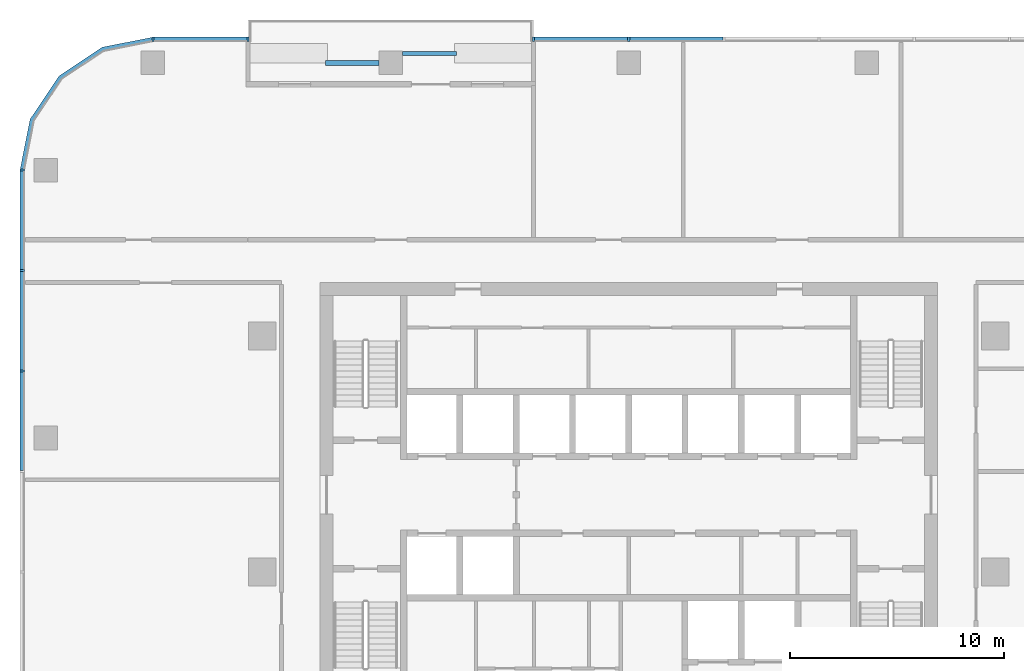
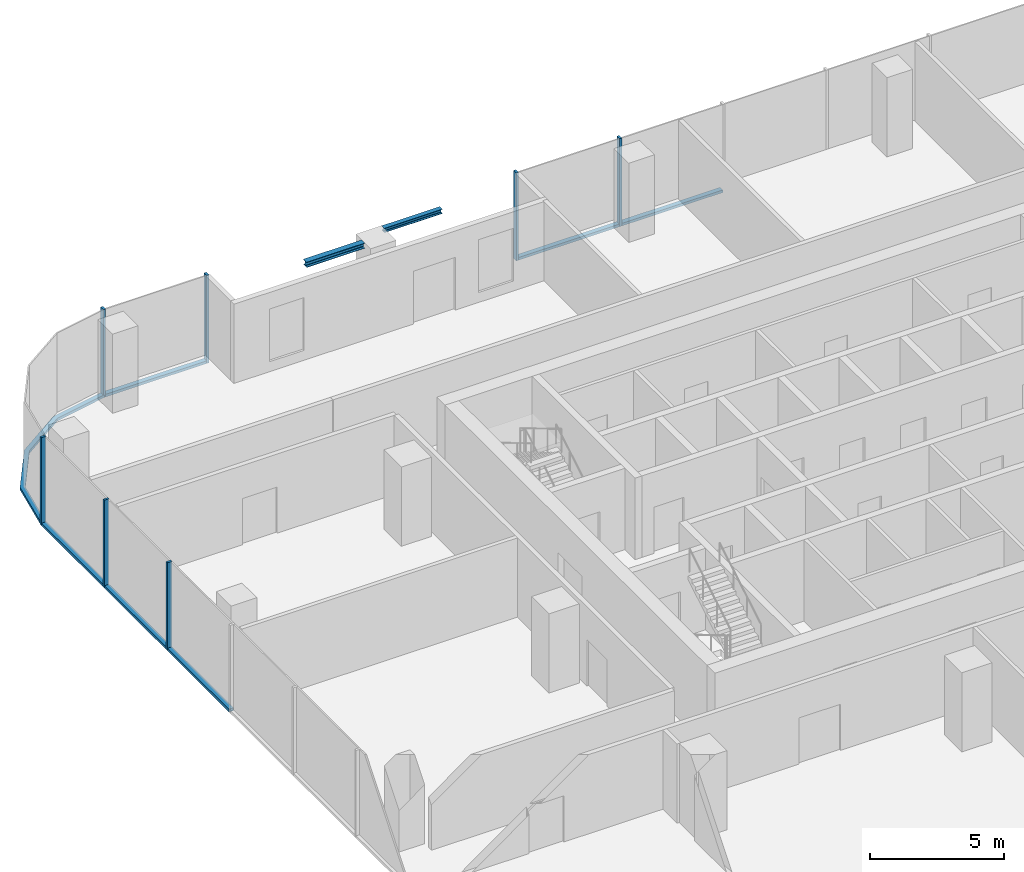
# One storey, part 4 of 14: 14 members, 2 beams, 4 elements without a shape of their own.
"""IFC4 building model written with IfcOpenShell, lengths in metres."""

from ifc_helpers import new_model, si_unit, direction, frame, origin, origin_2d, place, context, subcontext, project, spatial, polyline, rectangle, i_section, outline, extrude, material, material_profile, profile_set, type_object, element, aggregate, save


model = new_model("IFC4")

# Units and contexts
model_context = context("Model", 3, precision=1e-05, world=origin(), true_north=direction((0.0, 1.0)))
body_context = subcontext(model_context, "Body", "Model", "MODEL_VIEW")
ifc_project = project(units=[si_unit("LENGTHUNIT", "METRE"), si_unit("AREAUNIT", "SQUARE_METRE"), si_unit("VOLUMEUNIT", "CUBIC_METRE"), si_unit("PLANEANGLEUNIT", "RADIAN"), si_unit("MASSUNIT", "GRAM", prefix="KILO")], contexts=[model_context])

# Site, building, storey
site_placement = place(None, origin())
site = spatial("IfcSite", under=ifc_project, at=site_placement, CompositionType="ELEMENT")
building_placement = place(site_placement, origin())
building = spatial("IfcBuilding", under=site, at=building_placement, Name="Mopane Tessera Tower", CompositionType="ELEMENT")
storey_placement = place(building_placement, frame((0.0, 0.0, 219.0)))
storey = spatial("IfcBuildingStorey", under=building, at=storey_placement, Name="L46", CompositionType="ELEMENT", Elevation=219.0)

# Curtain wall, members
ifc_material_1 = material(Name="Aluminium frame", Category="aluminium")
curtain_wall_type = type_object("IfcCurtainWallType", Name="Unitised curtain wall", PredefinedType="NOTDEFINED", material=ifc_material_1)
curtain_wall_1_placement = place(storey_placement, origin())
curtain_wall_1 = element("IfcCurtainWall", 1, at=curtain_wall_1_placement, inside=storey, type_object=curtain_wall_type, Name="e:cw:L46:N:0", PredefinedType="NOTDEFINED")
ifc_material_2 = material(Name="Aluminium frame", Category="aluminium")
ifc_material_profile_1 = material_profile(ifc_material_2, rectangle(XDim=0.10009765625, YDim=0.199951171875, at=origin_2d()))
ifc_profile_set_1 = profile_set([ifc_material_profile_1], Name="Aluminium frame")
member_type_1 = type_object("IfcMemberType", Name="Aluminium mullion 100 x 200", PredefinedType="MULLION", material=ifc_profile_set_1)
member_1_placement = place(storey_placement, frame((0.0, 24.85009765625, -0.39990234375), z_axis=(0.0, 0.0, 1.0), x_axis=(-1.0, 0.0, 0.0)))
member_1 = element("IfcMember", 2, at=member_1_placement, type_object=member_type_1, Name="e:cw:L46:N:0:mu5", PredefinedType="MULLION", context=body_context, shape_type="SweptSolid", body=[
    extrude(rectangle(XDim=0.10009765625, YDim=0.199951171875, at=origin_2d()), origin(), (0.0, 0.0, 1.0), 4.0),
])
member_2_placement = place(storey_placement, frame((-4.43994140625, 24.85009765625, -0.39990234375), z_axis=(0.0, 0.0, 1.0), x_axis=(-1.0, 0.0, 0.0)))
member_2 = element("IfcMember", 3, at=member_2_placement, type_object=member_type_1, Name="e:cw:L46:N:0:mu6", PredefinedType="MULLION", context=body_context, shape_type="SweptSolid", body=[
    extrude(rectangle(XDim=0.10009765625, YDim=0.199951171875, at=origin_2d()), origin(), (0.0, 0.0, 1.0), 4.0),
])

curtain_wall_2_placement = place(storey_placement, origin())
curtain_wall_2 = element("IfcCurtainWall", 4, at=curtain_wall_2_placement, inside=storey, type_object=curtain_wall_type, Name="e:cw:L46:N:9", PredefinedType="NOTDEFINED")
member_3_placement = place(storey_placement, frame((-17.760009765625, 24.85009765625, -0.39990234375), z_axis=(0.0, 0.0, 1.0), x_axis=(-1.0, 0.0, 0.0)))
member_3 = element("IfcMember", 5, at=member_3_placement, type_object=member_type_1, Name="e:cw:L46:N:9:mu9", PredefinedType="MULLION", context=body_context, shape_type="SweptSolid", body=[
    extrude(rectangle(XDim=0.10009765625, YDim=0.199951171875, at=origin_2d()), origin(), (0.0, 0.0, 1.0), 4.0),
])
member_4_placement = place(storey_placement, frame((-22.199951171875, 24.85009765625, -0.39990234375), z_axis=(0.0, 0.0, 1.0), x_axis=(-1.0, 0.0, 0.0)))
member_4 = element("IfcMember", 6, at=member_4_placement, type_object=member_type_1, Name="e:cw:L46:N:9:mu10", PredefinedType="MULLION", context=body_context, shape_type="SweptSolid", body=[
    extrude(rectangle(XDim=0.10009765625, YDim=0.199951171875, at=origin_2d()), origin(), (0.0, 0.0, 1.0), 4.0),
])

curtain_wall_3_placement = place(storey_placement, origin())
curtain_wall_3 = element("IfcCurtainWall", 7, at=curtain_wall_3_placement, inside=storey, type_object=curtain_wall_type, Name="e:cw:L46:W:0", PredefinedType="NOTDEFINED")
member_5_placement = place(storey_placement, frame((-28.300048828125, 18.75, -0.39990234375), z_axis=(0.0, 0.0, 1.0), x_axis=(0.0, -1.0, 0.0)))
member_5 = element("IfcMember", 8, at=member_5_placement, type_object=member_type_1, Name="e:cw:L46:W:0:mu0", PredefinedType="MULLION", context=body_context, shape_type="SweptSolid", body=[
    extrude(rectangle(XDim=0.10009765625, YDim=0.199951171875, at=origin_2d()), origin(), (0.0, 0.0, 1.0), 4.0),
])
member_6_placement = place(storey_placement, frame((-28.300048828125, 14.0625, -0.39990234375), z_axis=(0.0, 0.0, 1.0), x_axis=(0.0, -1.0, 0.0)))
member_6 = element("IfcMember", 9, at=member_6_placement, type_object=member_type_1, Name="e:cw:L46:W:0:mu1", PredefinedType="MULLION", context=body_context, shape_type="SweptSolid", body=[
    extrude(rectangle(XDim=0.10009765625, YDim=0.199951171875, at=origin_2d()), origin(), (0.0, 0.0, 1.0), 4.0),
])
member_7_placement = place(storey_placement, frame((-28.300048828125, 9.375, -0.39990234375), z_axis=(0.0, 0.0, 1.0), x_axis=(0.0, -1.0, 0.0)))
member_7 = element("IfcMember", 10, at=member_7_placement, type_object=member_type_1, Name="e:cw:L46:W:0:mu2", PredefinedType="MULLION", context=body_context, shape_type="SweptSolid", body=[
    extrude(rectangle(XDim=0.10009765625, YDim=0.199951171875, at=origin_2d()), origin(), (0.0, 0.0, 1.0), 4.0),
])

# Member
ifc_material_3 = material(Name="Aluminium frame", Category="aluminium")
ifc_material_profile_2 = material_profile(ifc_material_3, rectangle(XDim=0.199951171875, YDim=0.1201171875, at=origin_2d()))
ifc_profile_set_2 = profile_set([ifc_material_profile_2], Name="Aluminium frame")
member_type_2 = type_object("IfcMemberType", Name="Aluminium transom 200 x 120", PredefinedType="USERDEFINED", material=ifc_profile_set_2)
member_8_placement = place(storey_placement, frame((4.389892578125, 24.85009765625, -0.340087890625), z_axis=(-1.0, 0.0, 0.0), x_axis=(0.0, -1.0, 0.0)))
member_8 = element("IfcMember", 11, at=member_8_placement, type_object=member_type_2, Name="e:cw:L46:N:0:tr4", ObjectType="TRANSOM", PredefinedType="USERDEFINED", context=body_context, shape_type="SweptSolid", body=[
    extrude(rectangle(XDim=0.199951171875, YDim=0.1201171875, at=origin_2d()), origin(), (0.0, 0.0, 1.0), 4.33984375),
])

member_9_placement = place(storey_placement, frame((-0.050048828125, 24.85009765625, -0.340087890625), z_axis=(-1.0, 0.0, 0.0), x_axis=(0.0, -1.0, 0.0)))
member_9 = element("IfcMember", 12, at=member_9_placement, type_object=member_type_2, Name="e:cw:L46:N:0:tr5", ObjectType="TRANSOM", PredefinedType="USERDEFINED", context=body_context, shape_type="SweptSolid", body=[
    extrude(rectangle(XDim=0.199951171875, YDim=0.1201171875, at=origin_2d()), origin(), (0.0, 0.0, 1.0), 4.33984375),
])

aggregate(curtain_wall_1, [member_1, member_2, member_8, member_9])

member_10_placement = place(storey_placement, frame((-17.81005859375, 24.85009765625, -0.340087890625), z_axis=(-1.0, 0.0, 0.0), x_axis=(0.0, -1.0, 0.0)))
member_10 = element("IfcMember", 13, at=member_10_placement, type_object=member_type_2, Name="e:cw:L46:N:9:tr9", ObjectType="TRANSOM", PredefinedType="USERDEFINED", context=body_context, shape_type="SweptSolid", body=[
    extrude(rectangle(XDim=0.199951171875, YDim=0.1201171875, at=origin_2d()), origin(), (0.0, 0.0, 1.0), 4.33984375),
])

aggregate(curtain_wall_2, [member_3, member_4, member_10])

# Curtain wall, member
curtain_wall_4_placement = place(storey_placement, origin())
curtain_wall_4 = element("IfcCurtainWall", 14, at=curtain_wall_4_placement, inside=storey, type_object=curtain_wall_type, Name="e:cw:L46:CN", PredefinedType="NOTDEFINED")
member_11_placement = place(storey_placement, frame((0.0, 0.0, -0.39990234375)))
member_11 = element("IfcMember", 15, at=member_11_placement, type_object=member_type_2, Name="e:cw:L46:CN:tr", ObjectType="TRANSOM", PredefinedType="USERDEFINED", context=body_context, shape_type="SweptSolid", body=[
    extrude(outline(polyline([(-22.199951171875, 24.75), (-24.49609375, 24.293212890625), (-26.442626953125, 22.99267578125), (-27.7431640625, 21.046142578125), (-28.199951171875, 18.75), (-28.39990234375, 18.75), (-27.927978515625, 21.12255859375), (-26.583984375, 23.134033203125), (-24.57275390625, 24.47802734375), (-22.199951171875, 24.949951171875), (-22.199951171875, 24.75)])), origin(), (0.0, 0.0, 1.0), 0.119873046875),
])
aggregate(curtain_wall_4, [member_11])

# Member
member_12_placement = place(storey_placement, frame((-28.300048828125, 18.699951171875, -0.340087890625), z_axis=(0.0, -1.0, 0.0), x_axis=(1.0, 0.0, 0.0)))
member_12 = element("IfcMember", 16, at=member_12_placement, type_object=member_type_2, Name="e:cw:L46:W:0:tr0", ObjectType="TRANSOM", PredefinedType="USERDEFINED", context=body_context, shape_type="SweptSolid", body=[
    extrude(rectangle(XDim=0.199951171875, YDim=0.1201171875, at=origin_2d()), origin(), (0.0, 0.0, 1.0), 4.58740234375),
])

member_13_placement = place(storey_placement, frame((-28.300048828125, 14.012451171875, -0.340087890625), z_axis=(0.0, -1.0, 0.0), x_axis=(1.0, 0.0, 0.0)))
member_13 = element("IfcMember", 17, at=member_13_placement, type_object=member_type_2, Name="e:cw:L46:W:0:tr1", ObjectType="TRANSOM", PredefinedType="USERDEFINED", context=body_context, shape_type="SweptSolid", body=[
    extrude(rectangle(XDim=0.199951171875, YDim=0.1201171875, at=origin_2d()), origin(), (0.0, 0.0, 1.0), 4.58740234375),
])

member_14_placement = place(storey_placement, frame((-28.300048828125, 9.324951171875, -0.340087890625), z_axis=(0.0, -1.0, 0.0), x_axis=(1.0, 0.0, 0.0)))
member_14 = element("IfcMember", 18, at=member_14_placement, type_object=member_type_2, Name="e:cw:L46:W:0:tr2", ObjectType="TRANSOM", PredefinedType="USERDEFINED", context=body_context, shape_type="SweptSolid", body=[
    extrude(rectangle(XDim=0.199951171875, YDim=0.1201171875, at=origin_2d()), origin(), (0.0, 0.0, 1.0), 4.58740234375),
])

aggregate(curtain_wall_3, [member_5, member_6, member_7, member_12, member_13, member_14])

# Beams
ifc_material_4 = material(Name="Structural steel S460", Category="steel")
ifc_material_profile_3 = material_profile(ifc_material_4, i_section(OverallWidth=0.239990234375, OverallDepth=0.239990234375, WebThickness=0.010009765625, FlangeThickness=0.01708984375, FilletRadius=0.02099609375, at=origin_2d()))
ifc_profile_set_3 = profile_set([ifc_material_profile_3], Name="Structural steel S460")
beam_type_1 = type_object("IfcBeamType", Name="Terrace spandrel beam HE 240 B", PredefinedType="SPANDREL", material=ifc_profile_set_3)
beam_1_placement = place(storey_placement, frame((-11.653076171875, 23.75, 3.47998046875), z_axis=(-1.0, 0.0, 0.0), x_axis=(0.0, -1.0, 0.0)))
element("IfcBeam", 19, at=beam_1_placement, inside=storey, type_object=beam_type_1, Name="Terrace spandrel beam N3 L47", PredefinedType="SPANDREL", context=body_context, shape_type="SweptSolid", body=[
    extrude(i_section(OverallWidth=0.239990234375, OverallDepth=0.239990234375, WebThickness=0.010009765625, FlangeThickness=0.01708984375, FilletRadius=0.02099609375, at=origin_2d()), origin(), (0.0, 0.0, 1.0), 2.5),
])
ifc_material_5 = material(Name="Structural steel S460", Category="steel")
ifc_material_profile_4 = material_profile(ifc_material_5, i_section(OverallWidth=0.199951171875, OverallDepth=0.199951171875, WebThickness=0.009033203125, FlangeThickness=0.014892578125, FilletRadius=0.01806640625, at=origin_2d()))
ifc_profile_set_4 = profile_set([ifc_material_profile_4], Name="Structural steel S460")
beam_type_2 = type_object("IfcBeamType", Name="Terrace trimmer beam HE 200 B", PredefinedType="BEAM", material=ifc_profile_set_4)
beam_2_placement = place(storey_placement, frame((-10.547119140625, 24.18994140625, 3.5), z_axis=(1.0, 0.0, 0.0), x_axis=(0.0, 1.0, 0.0)))
element("IfcBeam", 20, at=beam_2_placement, inside=storey, type_object=beam_type_2, Name="Terrace trimmer beam N3 L47", PredefinedType="BEAM", context=body_context, shape_type="SweptSolid", body=[
    extrude(i_section(OverallWidth=0.199951171875, OverallDepth=0.199951171875, WebThickness=0.009033203125, FlangeThickness=0.014892578125, FilletRadius=0.01806640625, at=origin_2d()), origin(), (0.0, 0.0, 1.0), 2.5),
])

save(model, "model.ifc")
